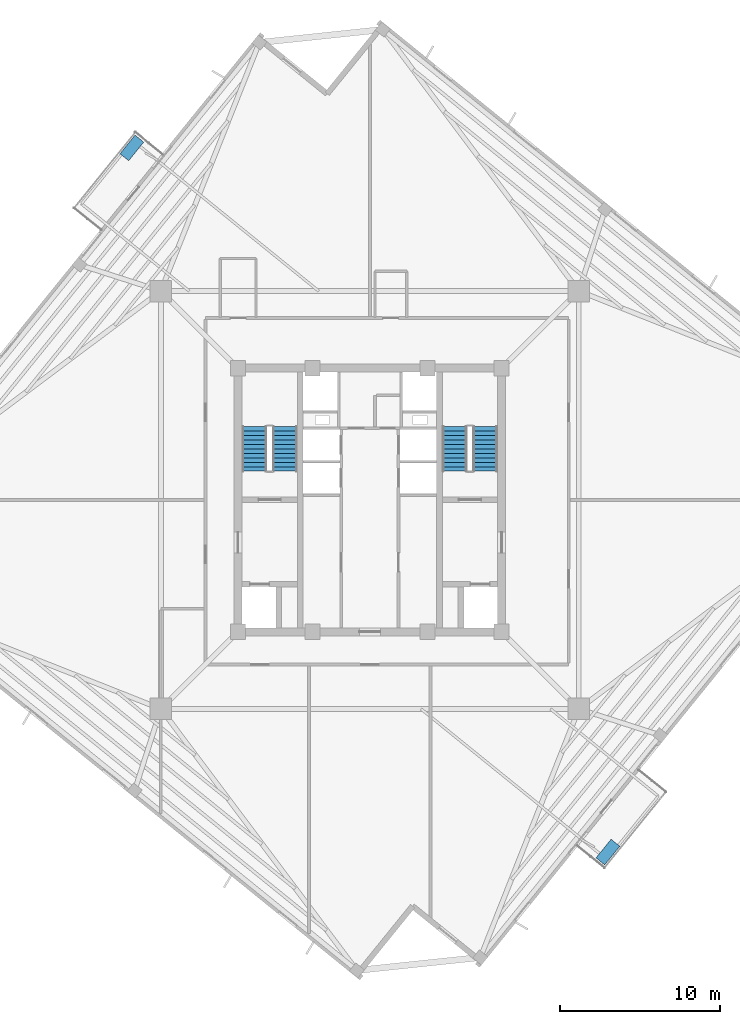
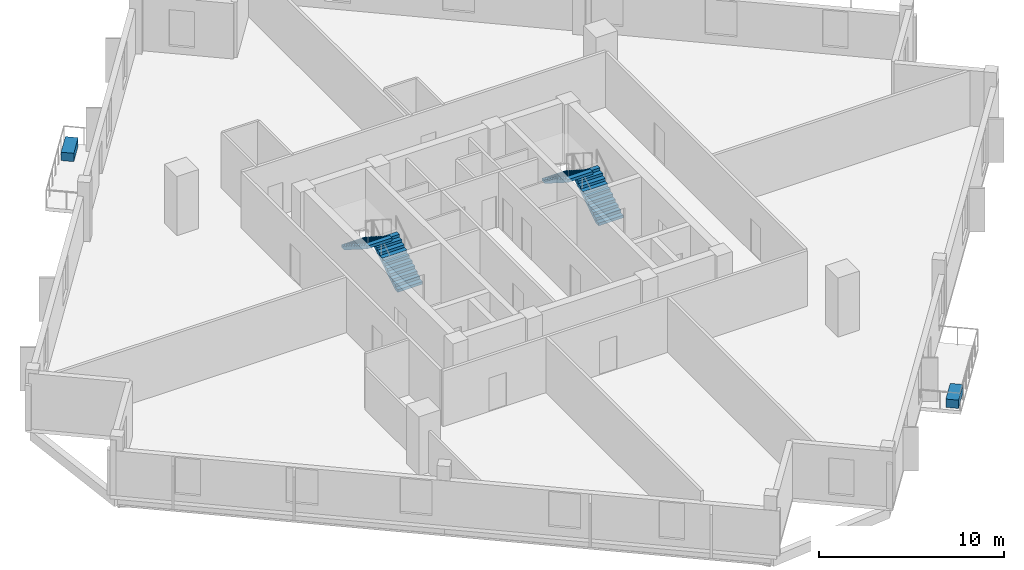
# One storey, part 5 of 9: 4 stair flights, 2 discrete accessories, 2 elements without a shape of their own.
"""IFC4 building model written with IfcOpenShell, lengths in metres."""

from ifc_helpers import new_model, si_unit, direction, frame, origin, origin_2d, place, context, subcontext, project, spatial, polyline, rectangle, outline, extrude, source, transform, mapped, material, type_object, element, aggregate, save


model = new_model("IFC4")

# Units and contexts
model_context = context("Model", 3, precision=1e-05, world=origin(), true_north=direction((0.0, 1.0)))
body_context = subcontext(model_context, "Body", "Model", "MODEL_VIEW")
ifc_project = project(units=[si_unit("LENGTHUNIT", "METRE"), si_unit("AREAUNIT", "SQUARE_METRE"), si_unit("VOLUMEUNIT", "CUBIC_METRE"), si_unit("PLANEANGLEUNIT", "RADIAN"), si_unit("MASSUNIT", "GRAM", prefix="KILO"), si_unit("THERMODYNAMICTEMPERATUREUNIT", "KELVIN")], contexts=[model_context])

# Site, building, storey
site_placement = place(None, origin())
site = spatial("IfcSite", under=ifc_project, at=site_placement, CompositionType="ELEMENT")
building_placement = place(site_placement, origin())
building = spatial("IfcBuilding", under=site, at=building_placement, Name="Kosmvard Interchange Tower", CompositionType="ELEMENT")
storey_placement = place(building_placement, frame((0.0, 0.0, 248.5)))
storey = spatial("IfcBuildingStorey", under=building, at=storey_placement, Name="L60", CompositionType="ELEMENT", Elevation=248.5)

# Stair, stair flights
ifc_material_1 = material(Name="Concrete C50/60", Category="concrete")
stair_type = type_object("IfcStairType", Name="Dog-Leg Core Exit Stair H3900 C50/60", PredefinedType="HALF_TURN_STAIR", material=ifc_material_1)
stair_1_placement = place(storey_placement, origin())
stair_1 = element("IfcStair", 1, at=stair_1_placement, inside=storey, type_object=stair_type, Name="L60 Protected Exit Stair ST-1", PredefinedType="HALF_TURN_STAIR")
stair_flight_type = type_object("IfcStairFlightType", Name="Core Stair Flight W1550 H3900 C50/60", PredefinedType="STRAIGHT", material=ifc_material_1)
shared_shape_1 = source(origin(), body_context, "Body", "SweptSolid", [
    extrude(outline(polyline([(0.0, 0.0), (0.0, 0.17724609375), (0.280029296875, 0.17724609375), (0.280029296875, 0.3544921875), (0.56005859375, 0.3544921875), (0.56005859375, 0.53173828125), (0.840087890625, 0.53173828125), (0.840087890625, 0.708984375), (1.1201171875, 0.708984375), (1.1201171875, 0.886474609375), (1.39990234375, 0.886474609375), (1.39990234375, 1.063720703125), (1.679931640625, 1.063720703125), (1.679931640625, 1.240966796875), (1.9599609375, 1.240966796875), (1.9599609375, 1.418212890625), (2.239990234375, 1.418212890625), (2.239990234375, 1.595458984375), (2.52001953125, 1.595458984375), (2.52001953125, 1.772705078125), (2.800048828125, 1.772705078125), (2.800048828125, 1.949951171875), (2.800048828125, 1.58349609375), (0.298828125, 0.0), (0.0, 0.0)])), frame((0.0, 0.77490234375, 0.0), z_axis=(0.0, -1.0, 0.0), x_axis=(1.0, 0.0, 0.0)), (0.0, 0.0, 1.0), 1.550048828125),
])
stair_flight_1_placement = place(storey_placement, frame((-5.31494140625, 1.800048828125, 0.0), z_axis=(0.0, 0.0, 1.0), x_axis=(0.0, 1.0, 0.0)))
stair_flight_1 = element("IfcStairFlight", 2, at=stair_flight_1_placement, type_object=stair_flight_type, Name="ST-1 flight 1", NumberOfRisers=11, NumberOfTreads=10, PredefinedType="STRAIGHT", RiserHeight=0.177272727, TreadLength=0.28, context=body_context, shape_type="MappedRepresentation", body=[
    mapped(shared_shape_1, transform((0.0, 0.0, 0.0), scale=1.0)),
])
stair_flight_2_placement = place(storey_placement, frame((-7.22509765625, 4.60009765625, 1.949951171875), z_axis=(0.0, 0.0, 1.0), x_axis=(0.0, -1.0, 0.0)))
stair_flight_2 = element("IfcStairFlight", 3, at=stair_flight_2_placement, type_object=stair_flight_type, Name="ST-1 flight 2", NumberOfRisers=11, NumberOfTreads=10, PredefinedType="STRAIGHT", RiserHeight=0.177272727, TreadLength=0.28, context=body_context, shape_type="MappedRepresentation", body=[
    mapped(shared_shape_1, transform((0.0, 0.0, 0.0), scale=1.0)),
])
aggregate(stair_1, [stair_flight_1, stair_flight_2])

stair_2_placement = place(storey_placement, origin())
stair_2 = element("IfcStair", 4, at=stair_2_placement, inside=storey, type_object=stair_type, Name="L60 Protected Exit Stair ST-2", PredefinedType="HALF_TURN_STAIR")
stair_flight_3_placement = place(storey_placement, frame((7.22509765625, 1.800048828125, 0.0), z_axis=(0.0, 0.0, 1.0), x_axis=(0.0, 1.0, 0.0)))
stair_flight_3 = element("IfcStairFlight", 5, at=stair_flight_3_placement, type_object=stair_flight_type, Name="ST-2 flight 1", NumberOfRisers=11, NumberOfTreads=10, PredefinedType="STRAIGHT", RiserHeight=0.177272727, TreadLength=0.28, context=body_context, shape_type="MappedRepresentation", body=[
    mapped(shared_shape_1, transform((0.0, 0.0, 0.0), scale=1.0)),
])
stair_flight_4_placement = place(storey_placement, frame((5.31494140625, 4.60009765625, 1.949951171875), z_axis=(0.0, 0.0, 1.0), x_axis=(0.0, -1.0, 0.0)))
stair_flight_4 = element("IfcStairFlight", 6, at=stair_flight_4_placement, type_object=stair_flight_type, Name="ST-2 flight 2", NumberOfRisers=11, NumberOfTreads=10, PredefinedType="STRAIGHT", RiserHeight=0.177272727, TreadLength=0.28, context=body_context, shape_type="MappedRepresentation", body=[
    mapped(shared_shape_1, transform((0.0, 0.0, 0.0), scale=1.0)),
])
aggregate(stair_2, [stair_flight_3, stair_flight_4])

# Discrete accessories
ifc_material_2 = material(Name="Terracotta precast planter concrete C45/55", Category="masonry")
discrete_accessory_type = type_object("IfcDiscreteAccessoryType", Name="Precast Tree-Balcony & Terrace Planter Box", PredefinedType="USERDEFINED", material=ifc_material_2)
shared_shape_2 = source(origin(), body_context, "Body", "SweptSolid", [
    extrude(rectangle(XDim=1.5, YDim=0.699951171875, at=origin_2d()), origin(), (0.0, 0.0, 1.0), 0.550048828125),
])
for number, where, z_axis, x_axis, name in (
    (7, (14.901123046875, -22.0390625, 0.0), (0.0, 0.0, 1.0), (0.62932039105, 0.777145961457, 0.0), "L60 Balcony Tree Planter BAL-L60-S"),
    (8, (-14.901123046875, 22.0390625, 0.0), (0.0, 0.0, 1.0), (0.62932039105, 0.777145961457, 0.0), "L60 Balcony Tree Planter BAL-L60-N"),
):
    element("IfcDiscreteAccessory", number, at=place(storey_placement, frame(where, z_axis=z_axis, x_axis=x_axis)), inside=storey, type_object=discrete_accessory_type, Name=name, ObjectType="PLANTER", PredefinedType="USERDEFINED", context=body_context, shape_type="MappedRepresentation", body=[
        mapped(shared_shape_2, transform((0.0, 0.0, 0.0), scale=1.0)),
    ])

save(model, "model.ifc")
